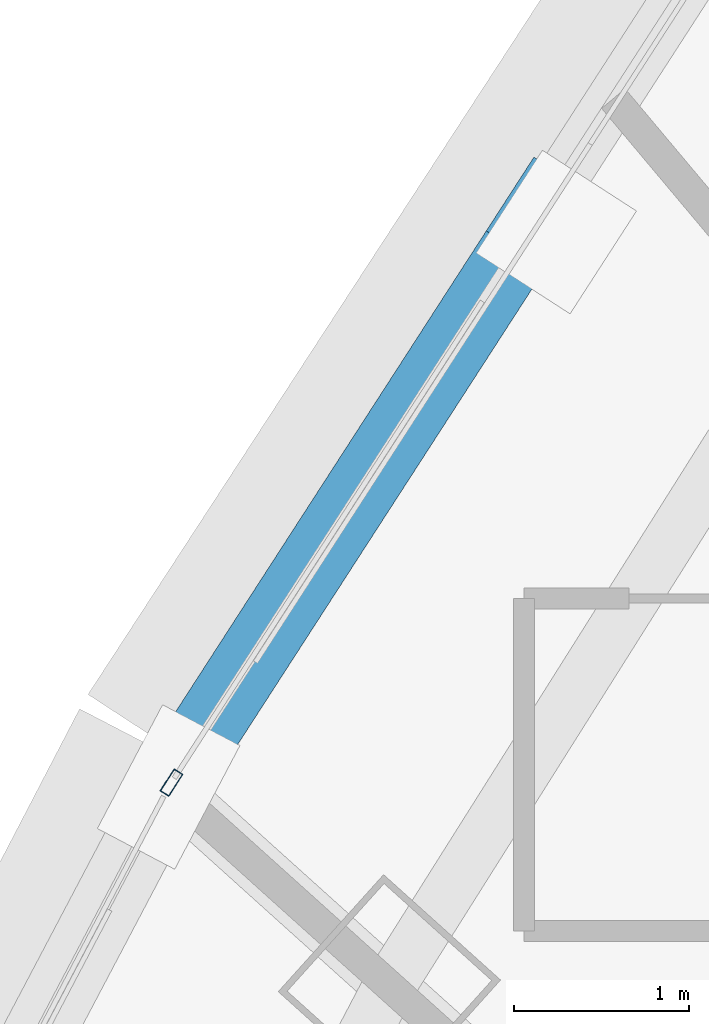
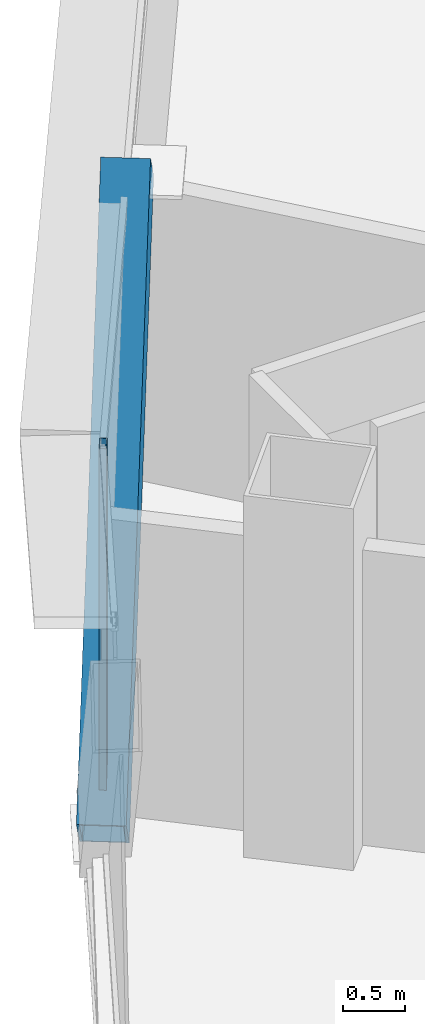
# One storey, part 16 of 37: 2 members, 1 element without a shape of its own.
"""IFC4 building model written with IfcOpenShell, lengths in metres."""

from ifc_helpers import new_model, si_unit, direction, frame, origin, origin_2d, place, context, subcontext, project, spatial, hollow_rectangle, extrude, source, transform, mapped, material, layer, layer_set, material_profile, profile_set, type_object, element, aggregate, save


model = new_model("IFC4")

# Units and contexts
model_context = context("Model", 3, precision=1e-05, world=origin(), true_north=direction((0.0, 1.0)))
body_context = subcontext(model_context, "Body", "Model", "MODEL_VIEW")
ifc_project = project(units=[si_unit("LENGTHUNIT", "METRE"), si_unit("AREAUNIT", "SQUARE_METRE"), si_unit("VOLUMEUNIT", "CUBIC_METRE"), si_unit("PLANEANGLEUNIT", "RADIAN"), si_unit("MASSUNIT", "GRAM", prefix="KILO"), si_unit("THERMODYNAMICTEMPERATUREUNIT", "KELVIN"), si_unit("POWERUNIT", "WATT")], contexts=[model_context])

# Site, building, storey
site_placement = place(None, origin())
site = spatial("IfcSite", under=ifc_project, at=site_placement, CompositionType="ELEMENT")
building_placement = place(site_placement, origin())
building = spatial("IfcBuilding", under=site, at=building_placement, Name="Yunzhuo Pagoda Commons", CompositionType="ELEMENT")
storey_placement = place(building_placement, frame((0.0, 0.0, 207.56005859375)))
storey = spatial("IfcBuildingStorey", under=building, at=storey_placement, Name="L52", CompositionType="ELEMENT", Elevation=207.56005859375)

# Member
ifc_material_1 = material(Name="Structural steel Q355B", Category="steel")
ifc_material_profile_1 = material_profile(ifc_material_1, hollow_rectangle(XDim=0.39990234375, YDim=0.719970703125, WallThickness=0.02392578125, at=origin_2d()), Name="Structural steel Q355B")
ifc_profile_set_1 = profile_set([ifc_material_profile_1], Name="Structural steel Q355B")
member_type_1 = type_object("IfcMemberType", Name="M-DL2 Brace BOX 720x400x24", PredefinedType="BRACE", material=ifc_profile_set_1)
shared_shape_1 = source(origin(), body_context, "Body", "SweptSolid", [
    extrude(hollow_rectangle(XDim=0.39990234375, YDim=0.719970703125, WallThickness=0.02392578125, at=origin_2d()), origin(), (0.0, 0.0, 1.0), 5.45068359375),
])
member_1_placement = place(storey_placement, frame((24.0869140625, 55.2314453125, -0.260009765625), z_axis=(0.389012502589, 0.602174333311, 0.697176695774), x_axis=(-0.839970557763, 0.542631976657, 0.0)))
element("IfcMember", 1, at=member_1_placement, inside=storey, type_object=member_type_1, Name="L52 facade diamond brace F3.1R", PredefinedType="BRACE", context=body_context, shape_type="MappedRepresentation", body=[
    mapped(shared_shape_1, transform((0.0, 0.0, 0.0), scale=1.0)),
])

# Curtain wall, member
ifc_material_2 = material(Name="Anodized aluminium 6063-T6", Category="aluminium")
ifc_layer = layer(ifc_material_2, 0.14990234375)
ifc_layer_set = layer_set([ifc_layer], Name="Anodized aluminium 6063-T6")
curtain_wall_type = type_object("IfcCurtainWallType", Name="CW-MID Mid-Zone Ribbon Curtain Wall", PredefinedType="NOTDEFINED", material=ifc_layer_set)
curtain_wall_placement = place(storey_placement, origin())
curtain_wall = element("IfcCurtainWall", 2, at=curtain_wall_placement, inside=storey, type_object=curtain_wall_type, Name="L52 curtain wall CW-L52-F3B2", PredefinedType="NOTDEFINED")
ifc_material_profile_2 = material_profile(ifc_material_2, hollow_rectangle(XDim=0.06005859375, YDim=0.14990234375, WallThickness=0.00390625, at=origin_2d()), Name="Anodized aluminium 6063-T6")
ifc_profile_set_2 = profile_set([ifc_material_profile_2], Name="Anodized aluminium 6063-T6")
member_type_2 = type_object("IfcMemberType", Name="CW-MID-M Mullion RHS 150x60x4", PredefinedType="MULLION", material=ifc_profile_set_2)
shared_shape_2 = source(origin(), body_context, "Body", "SweptSolid", [
    extrude(hollow_rectangle(XDim=0.06005859375, YDim=0.14990234375, WallThickness=0.00390625, at=origin_2d()), origin(), (0.0, 0.0, 1.0), 3.5400390625),
])
member_2_placement = place(storey_placement, frame((24.10302734375, 55.256591796875, 0.0), z_axis=(0.0, 0.0, 1.0), x_axis=(0.839965077478, -0.542640459805, 0.0)))
member_2 = element("IfcMember", 3, at=member_2_placement, type_object=member_type_2, Name="CW mullion 2", PredefinedType="MULLION", context=body_context, shape_type="MappedRepresentation", body=[
    mapped(shared_shape_2, transform((0.0, 0.0, 0.0), scale=1.0)),
])
aggregate(curtain_wall, [member_2])

save(model, "model.ifc")
